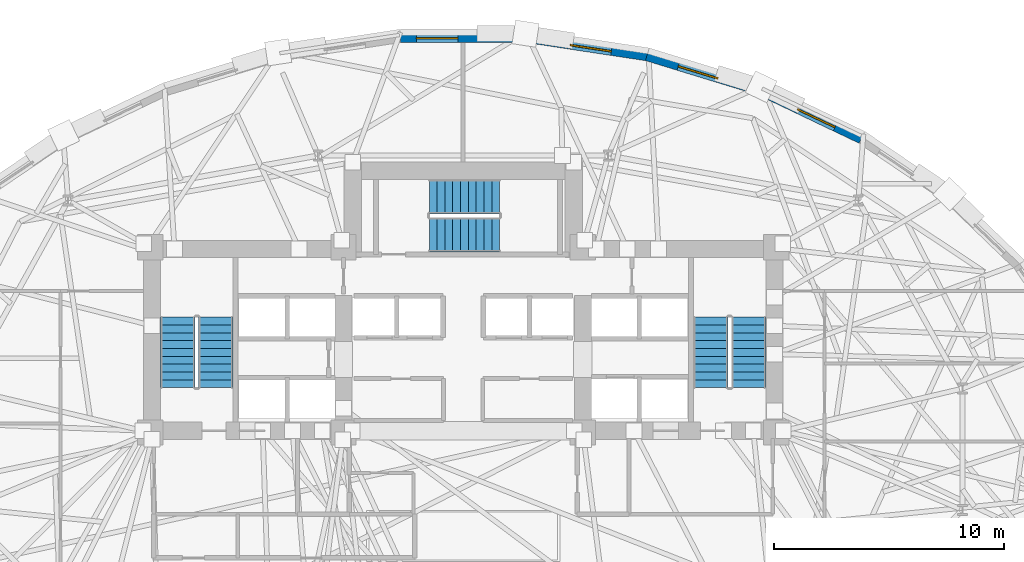
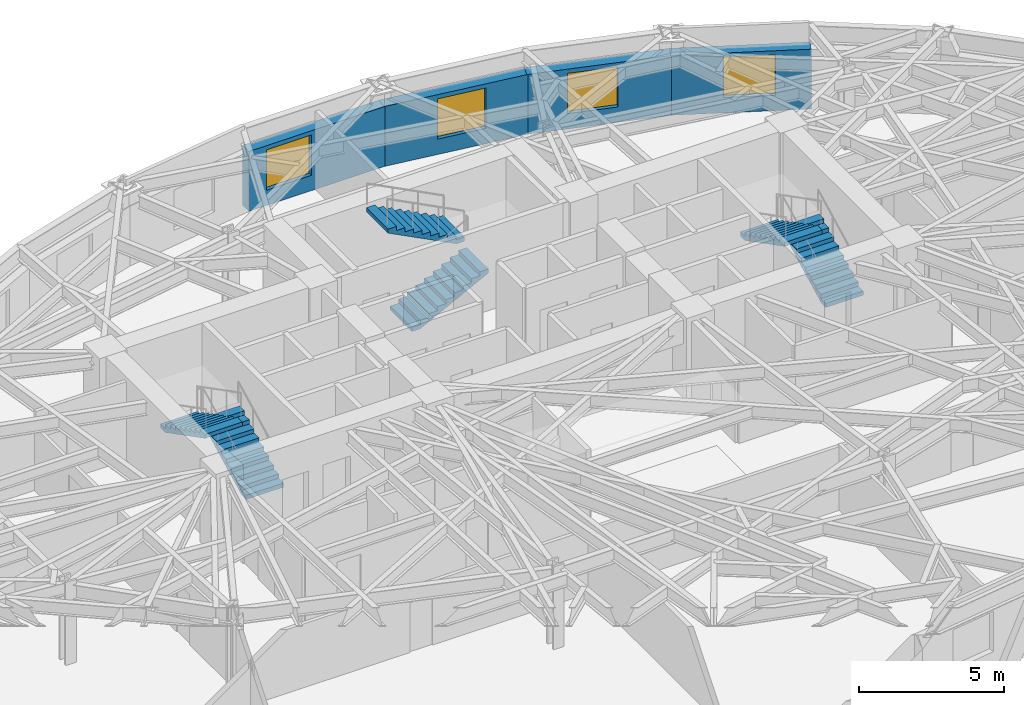
# One storey, part 10 of 14: 6 stair flights, 4 walls, 4 windows, 4 openings, 3 elements without a shape of their own.
"""IFC4 building model written with IfcOpenShell, lengths in metres."""

from ifc_helpers import new_model, si_unit, direction, frame, frame_2d, origin, place, context, subcontext, project, spatial, polyline, rectangle, outline, extrude, material, layer, layer_set, type_object, element, fill, aggregate, save


model = new_model("IFC4")

# Units and contexts
model_context = context("Model", 3, precision=1e-05, world=origin(), true_north=direction((0.0, 1.0)))
body_context = subcontext(model_context, "Body", "Model", "MODEL_VIEW")
ifc_project = project(units=[si_unit("LENGTHUNIT", "METRE"), si_unit("AREAUNIT", "SQUARE_METRE"), si_unit("VOLUMEUNIT", "CUBIC_METRE"), si_unit("PLANEANGLEUNIT", "RADIAN"), si_unit("MASSUNIT", "GRAM", prefix="KILO")], contexts=[model_context])

# Site, building, storey
site_placement = place(None, origin())
site = spatial("IfcSite", under=ifc_project, at=site_placement, CompositionType="ELEMENT")
building_placement = place(site_placement, origin())
building = spatial("IfcBuilding", under=site, at=building_placement, Name="Keldmark Tower", CompositionType="ELEMENT")
storey_placement = place(building_placement, frame((0.0, 0.0, 100.10009765625)))
storey = spatial("IfcBuildingStorey", under=building, at=storey_placement, Name="L26", CompositionType="ELEMENT", Elevation=100.10009765625)

# Wall, opening, window
ifc_material_1 = material(Name="Ironspot Manganese Brick and Kasota Buff Limestone Spandrel Assembly", Category="masonry")
ifc_layer = layer(ifc_material_1, 0.43994140625)
ifc_layer_set = layer_set([ifc_layer], Name="Ironspot Manganese Brick and Kasota Buff Limestone Spandrel Assembly")
wall_type = type_object("IfcWallType", Name="Tower Brick Pier and Spandrel Wall 440 mm", PredefinedType="STANDARD", material=ifc_layer_set)
wall_1_placement = place(storey_placement, frame((12.889892578125, 16.26953125, 0.0), z_axis=(0.0, 0.0, 1.0), x_axis=(0.902372757907, -0.430956385018, 0.0)))
wall_1 = element("IfcWall", 1, at=wall_1_placement, inside=storey, type_object=wall_type, Name="L26 Exterior Brick and Spandrel Wall 05", PredefinedType="STANDARD", context=body_context, shape_type="SweptSolid", body=[
    extrude(rectangle(XDim=4.881591796875, YDim=0.43994140625, at=frame_2d((2.44091796875, 0.0))), origin(), (0.0, 0.0, 1.0), 2.52783203125),
])
opening_1_placement = place(wall_1_placement, frame((1.8388671875, 0.0, 0.64990234375)))
opening_1 = element("IfcOpeningElement", 2, at=opening_1_placement, cuts=wall_1, Name="Opening W-02", PredefinedType="OPENING", context=body_context, shape_type="SweptSolid", body=[
    extrude(rectangle(XDim=1.800048828125, YDim=1.699951171875, at=frame_2d((0.89990234375, 0.85009765625))), frame((0.0, 0.22998046875, 0.0), z_axis=(0.0, -1.0, 0.0), x_axis=(1.0, 0.0, 0.0)), (0.0, 0.0, 1.0), 0.4599609375),
])
ifc_material_2 = material(Name="Thermally Broken Anodized Aluminum and Triple Low-E Argon Glazing", Category="aluminium")
window_type = type_object("IfcWindowType", Name="Office Deep-Set Triple Window 1800x1700", PartitioningType="TRIPLE_PANEL_VERTICAL", PredefinedType="WINDOW", material=ifc_material_2)
window_1_placement = place(opening_1_placement, origin())
window_1 = element("IfcWindow", 3, at=window_1_placement, inside=storey, type_object=window_type, Name="L26 Deep-Set Window 05", OverallHeight=1.699951171875, OverallWidth=1.800048828125, PartitioningType="SINGLE_PANEL", PredefinedType="WINDOW", context=body_context, shape_type="SweptSolid", body=[
    extrude(rectangle(XDim=1.800048828125, YDim=1.699951171875, at=frame_2d((0.89990234375, 0.85009765625))), frame((0.0, -0.010009765625, 0.0), z_axis=(0.0, -1.0, 0.0), x_axis=(1.0, 0.0, 0.0)), (0.0, 0.0, 1.0), 0.06005859375),
])
fill(opening_1, window_1)

wall_2_placement = place(storey_placement, frame((7.981201171875, 17.769287109375, 0.0), z_axis=(0.0, 0.0, 1.0), x_axis=(0.956228569431, -0.292620783617, 0.0)))
wall_2 = element("IfcWall", 4, at=wall_2_placement, inside=storey, type_object=wall_type, Name="L26 Exterior Brick and Spandrel Wall 06", PredefinedType="STANDARD", context=body_context, shape_type="SweptSolid", body=[
    extrude(rectangle(XDim=5.165283203125, YDim=0.43994140625, at=frame_2d((2.58251953125, 0.0))), origin(), (0.0, 0.0, 1.0), 2.52783203125),
])
opening_2_placement = place(wall_2_placement, frame((1.435546875, 0.0, 0.64990234375)))
opening_2 = element("IfcOpeningElement", 5, at=opening_2_placement, cuts=wall_2, Name="Opening W-02", PredefinedType="OPENING", context=body_context, shape_type="SweptSolid", body=[
    extrude(rectangle(XDim=1.800048828125, YDim=1.699951171875, at=frame_2d((0.89990234375, 0.85009765625))), frame((0.0, 0.22998046875, 0.0), z_axis=(0.0, -1.0, 0.0), x_axis=(1.0, 0.0, 0.0)), (0.0, 0.0, 1.0), 0.4599609375),
])
window_2_placement = place(opening_2_placement, origin())
window_2 = element("IfcWindow", 6, at=window_2_placement, inside=storey, type_object=window_type, Name="L26 Deep-Set Window 06", OverallHeight=1.699951171875, OverallWidth=1.800048828125, PartitioningType="SINGLE_PANEL", PredefinedType="WINDOW", context=body_context, shape_type="SweptSolid", body=[
    extrude(rectangle(XDim=1.800048828125, YDim=1.699951171875, at=frame_2d((0.89990234375, 0.85009765625))), frame((0.0, -0.010009765625, 0.0), z_axis=(0.0, -1.0, 0.0), x_axis=(1.0, 0.0, 0.0)), (0.0, 0.0, 1.0), 0.06005859375),
])
fill(opening_2, window_2)

wall_3_placement = place(storey_placement, frame((2.69677734375, 18.57080078125, 0.0), z_axis=(0.0, 0.0, 1.0), x_axis=(0.988627497469, -0.150385076545, 0.0)))
wall_3 = element("IfcWall", 7, at=wall_3_placement, inside=storey, type_object=wall_type, Name="L26 Exterior Brick and Spandrel Wall 07", PredefinedType="STANDARD", context=body_context, shape_type="SweptSolid", body=[
    extrude(rectangle(XDim=5.376708984375, YDim=0.43994140625, at=frame_2d((2.6884765625, 0.0))), origin(), (0.0, 0.0, 1.0), 2.52783203125),
])
opening_3_placement = place(wall_3_placement, frame((1.987060546875, 0.0, 0.64990234375)))
opening_3 = element("IfcOpeningElement", 8, at=opening_3_placement, cuts=wall_3, Name="Opening W-02", PredefinedType="OPENING", context=body_context, shape_type="SweptSolid", body=[
    extrude(rectangle(XDim=1.800048828125, YDim=1.699951171875, at=frame_2d((0.89990234375, 0.85009765625))), frame((0.0, 0.22998046875, 0.0), z_axis=(0.0, -1.0, 0.0), x_axis=(1.0, 0.0, 0.0)), (0.0, 0.0, 1.0), 0.4599609375),
])
window_3_placement = place(opening_3_placement, origin())
window_3 = element("IfcWindow", 9, at=window_3_placement, inside=storey, type_object=window_type, Name="L26 Deep-Set Window 07", OverallHeight=1.699951171875, OverallWidth=1.800048828125, PartitioningType="SINGLE_PANEL", PredefinedType="WINDOW", context=body_context, shape_type="SweptSolid", body=[
    extrude(rectangle(XDim=1.800048828125, YDim=1.699951171875, at=frame_2d((0.89990234375, 0.85009765625))), frame((0.0, -0.010009765625, 0.0), z_axis=(0.0, -1.0, 0.0), x_axis=(1.0, 0.0, 0.0)), (0.0, 0.0, 1.0), 0.06005859375),
])
fill(opening_3, window_3)

wall_4_placement = place(storey_placement, frame((-2.729736328125, 18.568359375, 0.0), z_axis=(0.0, 0.0, 1.0), x_axis=(1.0, 0.0, 0.0)))
wall_4 = element("IfcWall", 10, at=wall_4_placement, inside=storey, type_object=wall_type, Name="L26 Exterior Brick and Spandrel Wall 08", PredefinedType="STANDARD", context=body_context, shape_type="SweptSolid", body=[
    extrude(rectangle(XDim=5.45947265625, YDim=0.43994140625, at=frame_2d((2.729736328125, 0.0))), origin(), (0.0, 0.0, 1.0), 2.52783203125),
])
opening_4_placement = place(wall_4_placement, frame((0.69384765625, 0.0, 0.64990234375)))
opening_4 = element("IfcOpeningElement", 11, at=opening_4_placement, cuts=wall_4, Name="Opening W-02", PredefinedType="OPENING", context=body_context, shape_type="SweptSolid", body=[
    extrude(rectangle(XDim=1.800048828125, YDim=1.699951171875, at=frame_2d((0.89990234375, 0.85009765625))), frame((0.0, 0.22998046875, 0.0), z_axis=(0.0, -1.0, 0.0), x_axis=(1.0, 0.0, 0.0)), (0.0, 0.0, 1.0), 0.4599609375),
])
window_4_placement = place(opening_4_placement, origin())
window_4 = element("IfcWindow", 12, at=window_4_placement, inside=storey, type_object=window_type, Name="L26 Deep-Set Window 08", OverallHeight=1.699951171875, OverallWidth=1.800048828125, PartitioningType="SINGLE_PANEL", PredefinedType="WINDOW", context=body_context, shape_type="SweptSolid", body=[
    extrude(rectangle(XDim=1.800048828125, YDim=1.699951171875, at=frame_2d((0.89990234375, 0.85009765625))), frame((0.0, -0.010009765625, 0.0), z_axis=(0.0, -1.0, 0.0), x_axis=(1.0, 0.0, 0.0)), (0.0, 0.0, 1.0), 0.06005859375),
])
fill(opening_4, window_4)

# Stair, stair flights
ifc_material_3 = material(Name="Concrete C40/50", Category="concrete")
stair_type = type_object("IfcStairType", Name="Precast Concrete Core Exit Stair", PredefinedType="HALF_TURN_STAIR", material=ifc_material_3)
stair_1_placement = place(storey_placement, origin())
stair_1 = element("IfcStair", 13, at=stair_1_placement, inside=storey, type_object=stair_type, Name="L26 Exit Stair ST1", PredefinedType="HALF_TURN_STAIR")
ifc_material_4 = material(Name="Concrete C40/50", Category="concrete")
stair_flight_type = type_object("IfcStairFlightType", Name="Precast Concrete Stair Flight 1500 mm", PredefinedType="STRAIGHT", material=ifc_material_4)
stair_flight_1_placement = place(storey_placement, frame((-10.75, 3.35009765625, 0.0), z_axis=(0.0, 0.0, 1.0), x_axis=(0.0, 1.0, 0.0)))
stair_flight_1 = element("IfcStairFlight", 14, at=stair_flight_1_placement, type_object=stair_flight_type, Name="ST1 flight 1", NumberOfRisers=10, NumberOfTreads=9, PredefinedType="STRAIGHT", RiserHeight=0.175, TreadLength=0.34, context=body_context, shape_type="SweptSolid", body=[
    extrude(outline(polyline([(0.0, 0.0), (0.0, 0.175048828125), (0.340087890625, 0.175048828125), (0.340087890625, 0.35009765625), (0.679931640625, 0.35009765625), (0.679931640625, 0.52490234375), (1.02001953125, 0.52490234375), (1.02001953125, 0.699951171875), (1.360107421875, 0.699951171875), (1.360107421875, 0.875), (1.699951171875, 0.875), (1.699951171875, 1.050048828125), (2.0400390625, 1.050048828125), (2.0400390625, 1.22509765625), (2.3798828125, 1.22509765625), (2.3798828125, 1.39990234375), (2.719970703125, 1.39990234375), (2.719970703125, 1.574951171875), (3.06005859375, 1.574951171875), (3.06005859375, 1.75), (3.06005859375, 1.406494140625), (0.32763671875, 0.0), (0.0, 0.0)])), frame((0.0, 0.75, 0.0), z_axis=(0.0, -1.0, 0.0), x_axis=(1.0, 0.0, 0.0)), (0.0, 0.0, 1.0), 1.5),
])
stair_flight_2_placement = place(storey_placement, frame((-12.39990234375, 6.409912109375, 1.75), z_axis=(0.0, 0.0, 1.0), x_axis=(0.0, -1.0, 0.0)))
stair_flight_2 = element("IfcStairFlight", 15, at=stair_flight_2_placement, type_object=stair_flight_type, Name="ST1 flight 2", NumberOfRisers=10, NumberOfTreads=9, PredefinedType="STRAIGHT", RiserHeight=0.175, TreadLength=0.34, context=body_context, shape_type="SweptSolid", body=[
    extrude(outline(polyline([(0.0, 0.0), (0.0, 0.175048828125), (0.340087890625, 0.175048828125), (0.340087890625, 0.35009765625), (0.679931640625, 0.35009765625), (0.679931640625, 0.52490234375), (1.02001953125, 0.52490234375), (1.02001953125, 0.699951171875), (1.360107421875, 0.699951171875), (1.360107421875, 0.875), (1.699951171875, 0.875), (1.699951171875, 1.050048828125), (2.0400390625, 1.050048828125), (2.0400390625, 1.22509765625), (2.3798828125, 1.22509765625), (2.3798828125, 1.39990234375), (2.719970703125, 1.39990234375), (2.719970703125, 1.574951171875), (3.06005859375, 1.574951171875), (3.06005859375, 1.75), (3.06005859375, 1.406494140625), (0.32763671875, 0.0), (0.0, 0.0)])), frame((0.0, 0.75, 0.0), z_axis=(0.0, -1.0, 0.0), x_axis=(1.0, 0.0, 0.0)), (0.0, 0.0, 1.0), 1.5),
])
aggregate(stair_1, [stair_flight_1, stair_flight_2])

stair_2_placement = place(storey_placement, origin())
stair_2 = element("IfcStair", 16, at=stair_2_placement, inside=storey, type_object=stair_type, Name="L26 Exit Stair ST2", PredefinedType="HALF_TURN_STAIR")
stair_flight_3_placement = place(storey_placement, frame((12.39990234375, 3.35009765625, 0.0), z_axis=(0.0, 0.0, 1.0), x_axis=(0.0, 1.0, 0.0)))
stair_flight_3 = element("IfcStairFlight", 17, at=stair_flight_3_placement, type_object=stair_flight_type, Name="ST2 flight 1", NumberOfRisers=10, NumberOfTreads=9, PredefinedType="STRAIGHT", RiserHeight=0.175, TreadLength=0.34, context=body_context, shape_type="SweptSolid", body=[
    extrude(outline(polyline([(0.0, 0.0), (0.0, 0.175048828125), (0.340087890625, 0.175048828125), (0.340087890625, 0.35009765625), (0.679931640625, 0.35009765625), (0.679931640625, 0.52490234375), (1.02001953125, 0.52490234375), (1.02001953125, 0.699951171875), (1.360107421875, 0.699951171875), (1.360107421875, 0.875), (1.699951171875, 0.875), (1.699951171875, 1.050048828125), (2.0400390625, 1.050048828125), (2.0400390625, 1.22509765625), (2.3798828125, 1.22509765625), (2.3798828125, 1.39990234375), (2.719970703125, 1.39990234375), (2.719970703125, 1.574951171875), (3.06005859375, 1.574951171875), (3.06005859375, 1.75), (3.06005859375, 1.406494140625), (0.32763671875, 0.0), (0.0, 0.0)])), frame((0.0, 0.75, 0.0), z_axis=(0.0, -1.0, 0.0), x_axis=(1.0, 0.0, 0.0)), (0.0, 0.0, 1.0), 1.5),
])
stair_flight_4_placement = place(storey_placement, frame((10.75, 6.409912109375, 1.75), z_axis=(0.0, 0.0, 1.0), x_axis=(0.0, -1.0, 0.0)))
stair_flight_4 = element("IfcStairFlight", 18, at=stair_flight_4_placement, type_object=stair_flight_type, Name="ST2 flight 2", NumberOfRisers=10, NumberOfTreads=9, PredefinedType="STRAIGHT", RiserHeight=0.175, TreadLength=0.34, context=body_context, shape_type="SweptSolid", body=[
    extrude(outline(polyline([(0.0, 0.0), (0.0, 0.175048828125), (0.340087890625, 0.175048828125), (0.340087890625, 0.35009765625), (0.679931640625, 0.35009765625), (0.679931640625, 0.52490234375), (1.02001953125, 0.52490234375), (1.02001953125, 0.699951171875), (1.360107421875, 0.699951171875), (1.360107421875, 0.875), (1.699951171875, 0.875), (1.699951171875, 1.050048828125), (2.0400390625, 1.050048828125), (2.0400390625, 1.22509765625), (2.3798828125, 1.22509765625), (2.3798828125, 1.39990234375), (2.719970703125, 1.39990234375), (2.719970703125, 1.574951171875), (3.06005859375, 1.574951171875), (3.06005859375, 1.75), (3.06005859375, 1.406494140625), (0.32763671875, 0.0), (0.0, 0.0)])), frame((0.0, 0.75, 0.0), z_axis=(0.0, -1.0, 0.0), x_axis=(1.0, 0.0, 0.0)), (0.0, 0.0, 1.0), 1.5),
])
aggregate(stair_2, [stair_flight_3, stair_flight_4])

stair_3_placement = place(storey_placement, origin())
stair_3 = element("IfcStair", 19, at=stair_3_placement, inside=storey, type_object=stair_type, Name="L26 Exit Stair ST3", PredefinedType="HALF_TURN_STAIR")
stair_flight_5_placement = place(storey_placement, frame((-1.47509765625, 10.0, 0.0), z_axis=(0.0, 0.0, 1.0), x_axis=(1.0, 0.0, 0.0)))
stair_flight_5 = element("IfcStairFlight", 20, at=stair_flight_5_placement, type_object=stair_flight_type, Name="ST3 flight 1", NumberOfRisers=10, NumberOfTreads=9, PredefinedType="STRAIGHT", RiserHeight=0.175, TreadLength=0.34, context=body_context, shape_type="SweptSolid", body=[
    extrude(outline(polyline([(0.0, 0.0), (0.0, 0.175048828125), (0.340087890625, 0.175048828125), (0.340087890625, 0.35009765625), (0.679931640625, 0.35009765625), (0.679931640625, 0.52490234375), (1.02001953125, 0.52490234375), (1.02001953125, 0.699951171875), (1.360107421875, 0.699951171875), (1.360107421875, 0.875), (1.699951171875, 0.875), (1.699951171875, 1.050048828125), (2.0400390625, 1.050048828125), (2.0400390625, 1.22509765625), (2.3798828125, 1.22509765625), (2.3798828125, 1.39990234375), (2.719970703125, 1.39990234375), (2.719970703125, 1.574951171875), (3.06005859375, 1.574951171875), (3.06005859375, 1.75), (3.06005859375, 1.406494140625), (0.32763671875, 0.0), (0.0, 0.0)])), frame((0.0, 0.75, 0.0), z_axis=(0.0, -1.0, 0.0), x_axis=(1.0, 0.0, 0.0)), (0.0, 0.0, 1.0), 1.5),
])
stair_flight_6_placement = place(storey_placement, frame((1.5849609375, 11.64990234375, 1.75), z_axis=(0.0, 0.0, 1.0), x_axis=(-1.0, 0.0, 0.0)))
stair_flight_6 = element("IfcStairFlight", 21, at=stair_flight_6_placement, type_object=stair_flight_type, Name="ST3 flight 2", NumberOfRisers=10, NumberOfTreads=9, PredefinedType="STRAIGHT", RiserHeight=0.175, TreadLength=0.34, context=body_context, shape_type="SweptSolid", body=[
    extrude(outline(polyline([(0.0, 0.0), (0.0, 0.175048828125), (0.340087890625, 0.175048828125), (0.340087890625, 0.35009765625), (0.679931640625, 0.35009765625), (0.679931640625, 0.52490234375), (1.02001953125, 0.52490234375), (1.02001953125, 0.699951171875), (1.360107421875, 0.699951171875), (1.360107421875, 0.875), (1.699951171875, 0.875), (1.699951171875, 1.050048828125), (2.0400390625, 1.050048828125), (2.0400390625, 1.22509765625), (2.3798828125, 1.22509765625), (2.3798828125, 1.39990234375), (2.719970703125, 1.39990234375), (2.719970703125, 1.574951171875), (3.06005859375, 1.574951171875), (3.06005859375, 1.75), (3.06005859375, 1.406494140625), (0.32763671875, 0.0), (0.0, 0.0)])), frame((0.0, 0.75, 0.0), z_axis=(0.0, -1.0, 0.0), x_axis=(1.0, 0.0, 0.0)), (0.0, 0.0, 1.0), 1.5),
])
aggregate(stair_3, [stair_flight_5, stair_flight_6])

save(model, "model.ifc")
